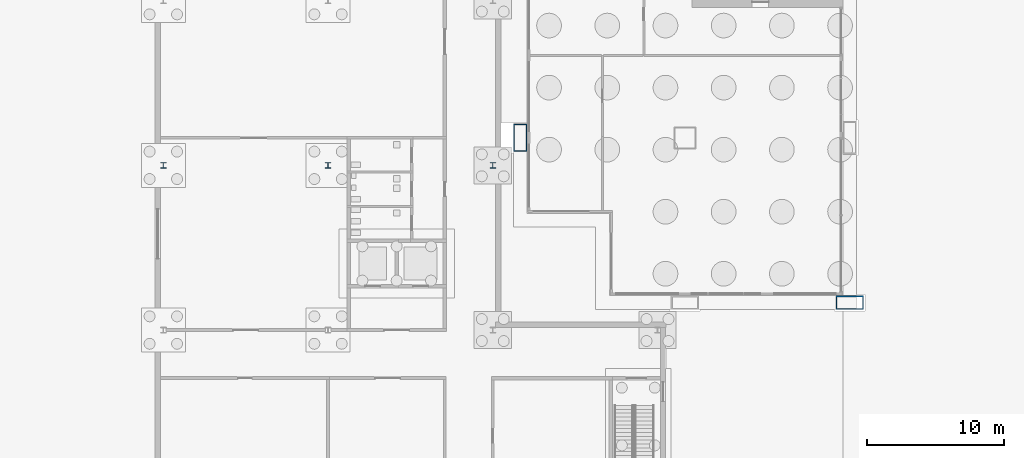
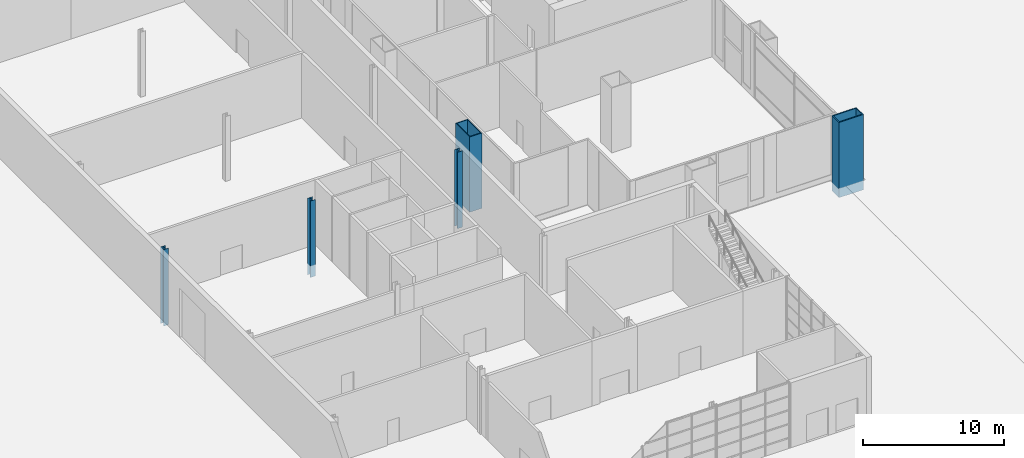
# One storey, part 4 of 29: 5 columns.
"""IFC4 building model written with IfcOpenShell, lengths in metres."""

from ifc_helpers import new_model, si_unit, direction, frame, origin, origin_2d, place, context, subcontext, project, spatial, hollow_rectangle, i_section, extrude, material, material_profile, profile_set, type_object, element, save


model = new_model("IFC4")

# Units and contexts
model_context = context("Model", 3, precision=1e-05, world=origin(), true_north=direction((0.0, 1.0)))
body_context = subcontext(model_context, "Body", "Model", "MODEL_VIEW")
ifc_project = project(units=[si_unit("LENGTHUNIT", "METRE"), si_unit("AREAUNIT", "SQUARE_METRE"), si_unit("VOLUMEUNIT", "CUBIC_METRE"), si_unit("PLANEANGLEUNIT", "RADIAN"), si_unit("MASSUNIT", "GRAM", prefix="KILO")], contexts=[model_context])

# Site, building, storey
site_placement = place(None, origin())
site = spatial("IfcSite", under=ifc_project, at=site_placement, CompositionType="ELEMENT")
building_placement = place(site_placement, origin())
building = spatial("IfcBuilding", under=site, at=building_placement, Name="Kitamizu Gate Tower and Museum", CompositionType="ELEMENT")
storey_placement = place(building_placement, origin())
storey = spatial("IfcBuildingStorey", under=building, at=storey_placement, Name="L00", CompositionType="ELEMENT", Elevation=0.0)

# Columns
ifc_material_1 = material(Name="Steel SS400", Category="steel")
ifc_material_profile_1 = material_profile(ifc_material_1, i_section(OverallWidth=0.39990234375, OverallDepth=0.39990234375, WebThickness=0.012939453125, FlangeThickness=0.02099609375, FilletRadius=0.02197265625, at=origin_2d()), Name="H-400x400x13x21")
ifc_profile_set_1 = profile_set([ifc_material_profile_1], Name="Steel SS400")
column_type_1 = type_object("IfcColumnType", Name="Museum column H 400x400x13x21 R 90", PredefinedType="COLUMN", material=ifc_profile_set_1)
column_placement = place(storey_placement, frame((-14.0, 10.0, -1.0), z_axis=(0.0, 0.0, 1.0), x_axis=(1.0, 0.0, 0.0)))
element("IfcColumn", 1, at=column_placement, inside=storey, type_object=column_type_1, Name="Column M2MD", PredefinedType="COLUMN", context=body_context, shape_type="SweptSolid", body=[
    extrude(i_section(OverallWidth=0.39990234375, OverallDepth=0.39990234375, WebThickness=0.012939453125, FlangeThickness=0.02099609375, FilletRadius=0.02197265625, at=origin_2d()), origin(), (0.0, 0.0, 1.0), 6.60009765625),
])
ifc_material_2 = material(Name="Steel SS400", Category="steel")
ifc_material_profile_2 = material_profile(ifc_material_2, i_section(OverallWidth=0.39990234375, OverallDepth=0.39990234375, WebThickness=0.012939453125, FlangeThickness=0.02099609375, FilletRadius=0.02197265625, at=origin_2d()), Name="H-400x400x13x21")
ifc_profile_set_2 = profile_set([ifc_material_profile_2], Name="Steel SS400")
column_type_2 = type_object("IfcColumnType", Name="Museum perimeter column H 400x400x13x21 R 90", PredefinedType="COLUMN", material=ifc_profile_set_2)
for number, where, z_axis, x_axis, name in (
    (2, (-26.0, 10.0, -1.0), (0.0, 0.0, 1.0), (1.0, 0.0, 0.0), "Column M1MD"),
    (3, (-2.0, 10.0, -1.0), (0.0, 0.0, 1.0), (1.0, 0.0, 0.0), "Column M3MD"),
):
    element("IfcColumn", number, at=place(storey_placement, frame(where, z_axis=z_axis, x_axis=x_axis)), inside=storey, type_object=column_type_2, Name=name, PredefinedType="COLUMN", context=body_context, shape_type="SweptSolid", body=[
        extrude(i_section(OverallWidth=0.39990234375, OverallDepth=0.39990234375, WebThickness=0.012939453125, FlangeThickness=0.02099609375, FilletRadius=0.02197265625, at=origin_2d()), origin(), (0.0, 0.0, 1.0), 6.60009765625),
    ])
ifc_material_3 = material(Name="Steel SM490A bronze coated", Category="steel")
ifc_material_profile_3 = material_profile(ifc_material_3, hollow_rectangle(XDim=2.0, YDim=1.0, WallThickness=0.080078125, at=origin_2d()), Name="BOX 2000x1000x80")
ifc_profile_set_3 = profile_set([ifc_material_profile_3], Name="Steel SM490A bronze coated")
column_type_3 = type_object("IfcColumnType", Name="Podium leg column LC1 BOX 2000x1000x80", PredefinedType="COLUMN", material=ifc_profile_set_3)
for number, where, z_axis, x_axis, name in (
    (4, (0.0, 12.0, -0.89990234375), (0.0, 0.0, 1.0), (0.0, 1.0, 0.0), "Column LC1 1B L00"),
    (5, (24.0, 0.0, -0.89990234375), (0.0, 0.0, 1.0), (1.0, 0.0, 0.0), "Column LC1 3A L00"),
):
    element("IfcColumn", number, at=place(storey_placement, frame(where, z_axis=z_axis, x_axis=x_axis)), inside=storey, type_object=column_type_3, Name=name, PredefinedType="COLUMN", context=body_context, shape_type="SweptSolid", body=[
        extrude(hollow_rectangle(XDim=2.0, YDim=1.0, WallThickness=0.080078125, at=origin_2d()), origin(), (0.0, 0.0, 1.0), 6.5),
    ])

save(model, "model.ifc")
